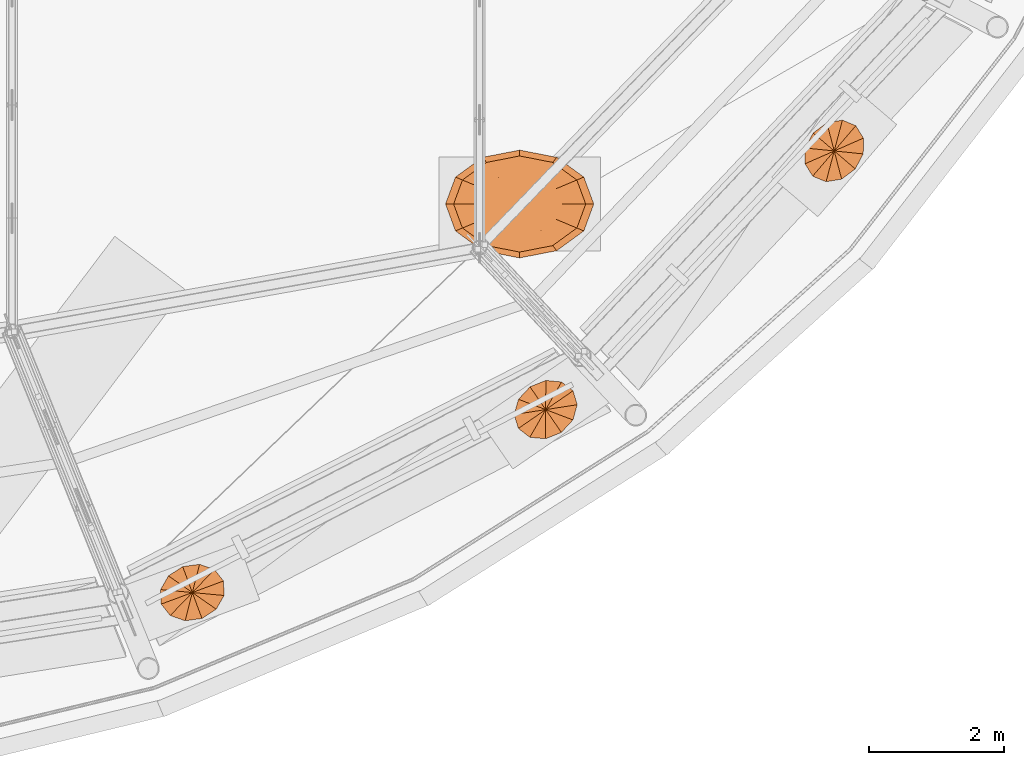
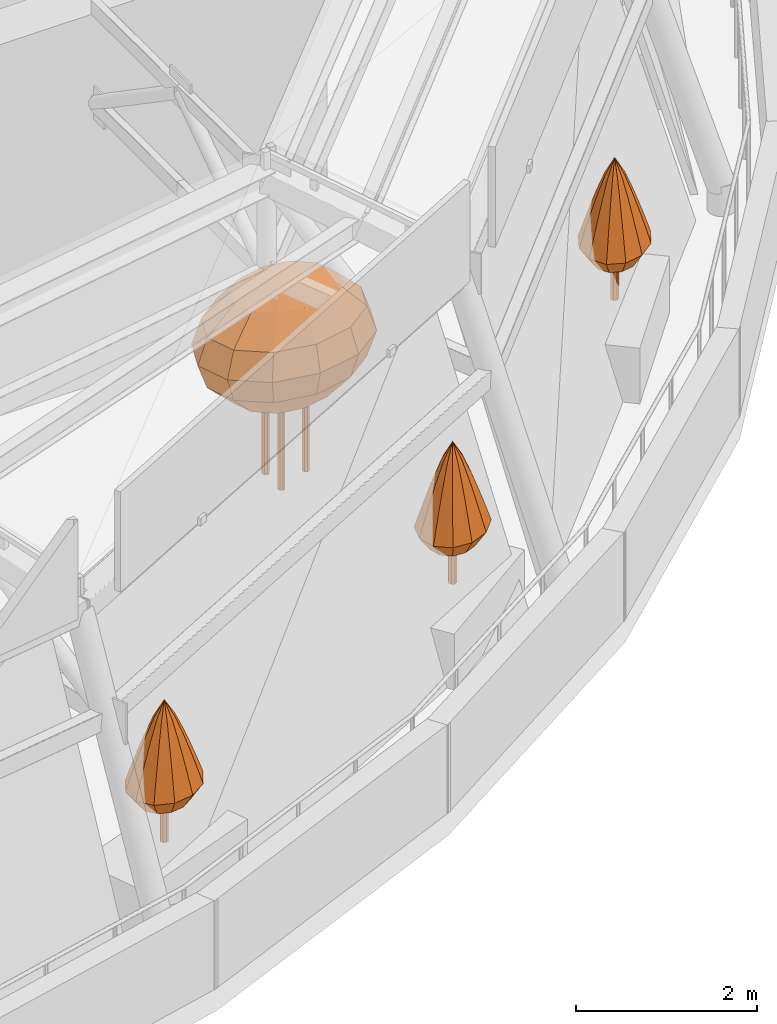
# One storey, part 35 of 40: 4 geographic elements.
"""IFC4 building model written with IfcOpenShell, lengths in metres."""

from ifc_helpers import new_model, si_unit, direction, frame, origin, place, context, subcontext, project, spatial, faceted_brep, material, constituent, constituent_set, type_object, element, save


model = new_model("IFC4")

# Units and contexts
model_context = context("Model", 3, precision=1e-05, world=origin(), true_north=direction((0.0, 1.0)))
body_context = subcontext(model_context, "Body", "Model", "MODEL_VIEW")
ifc_project = project(units=[si_unit("LENGTHUNIT", "METRE"), si_unit("AREAUNIT", "SQUARE_METRE"), si_unit("VOLUMEUNIT", "CUBIC_METRE"), si_unit("PLANEANGLEUNIT", "RADIAN"), si_unit("MASSUNIT", "GRAM", prefix="KILO")], contexts=[model_context])

# Site, building, storey
site_placement = place(None, origin())
site = spatial("IfcSite", under=ifc_project, at=site_placement, CompositionType="ELEMENT")
building_placement = place(site_placement, origin())
building = spatial("IfcBuilding", under=site, at=building_placement, Name="Taillehof Tower", CompositionType="ELEMENT")
storey_placement = place(building_placement, frame((0.0, 0.0, 275.199951171875)))
storey = spatial("IfcBuildingStorey", under=building, at=storey_placement, Name="L77", CompositionType="ELEMENT", Elevation=275.199951171875)

# Geographic elements
ifc_material_1 = material(Name="Tree bark", Category="timber")
ifc_constituent_1 = constituent(ifc_material_1, Name="Trunk", Category="timber")
ifc_material_2 = material(Name="Tree foliage")
ifc_constituent_2 = constituent(ifc_material_2, Name="Crown")
ifc_constituent_set_1 = constituent_set(constituents=[ifc_constituent_1, ifc_constituent_2], Name="Tree TR10 Scots pine standard")
geographic_element_type_1 = type_object("IfcGeographicElementType", Name="Tree TR10 Scots pine standard", PredefinedType="USERDEFINED", material=ifc_constituent_set_1)
geographic_element_1_placement = place(storey_placement, frame((8.7783203125, -18.916748046875, 0.75)))
element("IfcGeographicElement", 1, at=geographic_element_1_placement, inside=storey, type_object=geographic_element_type_1, Name="Tree TR10 Scots pine standard", ObjectType="TREE", PredefinedType="USERDEFINED", context=body_context, shape_type="Brep", body=[
    faceted_brep([(0.050048828125, 0.0, 0.0), (0.035400390625, 0.035400390625, 0.0), (0.035400390625, 0.035400390625, 1.035400390625), (0.050048828125, 0.0, 1.035400390625), (0.0, 0.050048828125, 0.0), (0.0, 0.050048828125, 1.035400390625), (-0.035400390625, 0.035400390625, 0.0), (-0.035400390625, 0.035400390625, 1.035400390625), (-0.050048828125, 0.0, 0.0), (-0.050048828125, 0.0, 1.035400390625), (-0.035400390625, -0.035400390625, 0.0), (-0.035400390625, -0.035400390625, 1.035400390625), (0.0, -0.050048828125, 0.0), (0.0, -0.050048828125, 1.035400390625), (0.035400390625, -0.035400390625, 0.0), (0.035400390625, -0.035400390625, 1.035400390625)], [[[0, 1, 2, 3]], [[1, 4, 5, 2]], [[4, 6, 7, 5]], [[6, 8, 9, 7]], [[8, 10, 11, 9]], [[10, 12, 13, 11]], [[12, 14, 15, 13]], [[14, 0, 3, 15]], [[14, 12, 10, 8, 6, 4, 1, 0]], [[3, 2, 5, 7, 9, 11, 13, 15]]]),
    faceted_brep([(0.309326171875, 0.114990234375, 0.570068359375), (0.219970703125, 0.228271484375, 0.570068359375), (0.32861328125, 0.341064453125, 0.791748046875), (0.4619140625, 0.17138671875, 0.791748046875), (0.07177734375, 0.28076171875, 0.570068359375), (0.107177734375, 0.4189453125, 0.791748046875), (-0.095703125, 0.2578125, 0.570068359375), (-0.142822265625, 0.384765625, 0.791748046875), (-0.237548828125, 0.165771484375, 0.570068359375), (-0.354736328125, 0.24755859375, 0.791748046875), (-0.315673828125, 0.029296875, 0.570068359375), (-0.471435546875, 0.0439453125, 0.791748046875), (-0.309326171875, -0.114990234375, 0.570068359375), (-0.4619140625, -0.17138671875, 0.791748046875), (-0.219970703125, -0.228271484375, 0.570068359375), (-0.32861328125, -0.341064453125, 0.791748046875), (-0.07177734375, -0.28076171875, 0.570068359375), (-0.107177734375, -0.4189453125, 0.791748046875), (0.095703125, -0.2578125, 0.570068359375), (0.142822265625, -0.384765625, 0.791748046875), (0.237548828125, -0.165771484375, 0.570068359375), (0.354736328125, -0.24755859375, 0.791748046875), (0.315673828125, -0.029296875, 0.570068359375), (0.471435546875, -0.0439453125, 0.791748046875), (0.27490234375, 0.28515625, 1.013427734375), (0.38623046875, 0.1435546875, 1.013427734375), (0.089599609375, 0.3505859375, 1.013427734375), (-0.11962890625, 0.322021484375, 1.013427734375), (-0.296630859375, 0.20703125, 1.013427734375), (-0.394287109375, 0.03662109375, 1.013427734375), (-0.38623046875, -0.1435546875, 1.013427734375), (-0.27490234375, -0.28515625, 1.013427734375), (-0.089599609375, -0.3505859375, 1.013427734375), (0.11962890625, -0.322021484375, 1.013427734375), (0.296630859375, -0.20703125, 1.013427734375), (0.394287109375, -0.03662109375, 1.013427734375), (0.21826171875, 0.2265625, 1.235107421875), (0.306884765625, 0.114013671875, 1.235107421875), (0.0712890625, 0.278564453125, 1.235107421875), (-0.094970703125, 0.255859375, 1.235107421875), (-0.235595703125, 0.16455078125, 1.235107421875), (-0.313232421875, 0.029052734375, 1.235107421875), (-0.306884765625, -0.114013671875, 1.235107421875), (-0.21826171875, -0.2265625, 1.235107421875), (-0.0712890625, -0.278564453125, 1.235107421875), (0.094970703125, -0.255859375, 1.235107421875), (0.235595703125, -0.16455078125, 1.235107421875), (0.313232421875, -0.029052734375, 1.235107421875), (0.15771484375, 0.163818359375, 1.456787109375), (0.221923828125, 0.08251953125, 1.456787109375), (0.051513671875, 0.201416015625, 1.456787109375), (-0.068603515625, 0.184814453125, 1.456787109375), (-0.17041015625, 0.118896484375, 1.456787109375), (-0.2265625, 0.02099609375, 1.456787109375), (-0.221923828125, -0.08251953125, 1.456787109375), (-0.15771484375, -0.163818359375, 1.456787109375), (-0.051513671875, -0.201416015625, 1.456787109375), (0.068603515625, -0.184814453125, 1.456787109375), (0.17041015625, -0.118896484375, 1.456787109375), (0.2265625, -0.02099609375, 1.456787109375), (0.090576171875, 0.093994140625, 1.67822265625), (0.12744140625, 0.04736328125, 1.67822265625), (0.029541015625, 0.11572265625, 1.67822265625), (-0.03955078125, 0.106201171875, 1.67822265625), (-0.097900390625, 0.068359375, 1.67822265625), (-0.130126953125, 0.01220703125, 1.67822265625), (-0.12744140625, -0.04736328125, 1.67822265625), (-0.090576171875, -0.093994140625, 1.67822265625), (-0.029541015625, -0.11572265625, 1.67822265625), (0.03955078125, -0.106201171875, 1.67822265625), (0.097900390625, -0.068359375, 1.67822265625), (0.130126953125, -0.01220703125, 1.67822265625), (0.0, 0.0, 1.89990234375)], [[[0, 1, 2, 3]], [[1, 4, 5, 2]], [[4, 6, 7, 5]], [[6, 8, 9, 7]], [[8, 10, 11, 9]], [[10, 12, 13, 11]], [[12, 14, 15, 13]], [[14, 16, 17, 15]], [[16, 18, 19, 17]], [[18, 20, 21, 19]], [[20, 22, 23, 21]], [[22, 0, 3, 23]], [[3, 2, 24, 25]], [[2, 5, 26, 24]], [[5, 7, 27, 26]], [[7, 9, 28, 27]], [[9, 11, 29, 28]], [[11, 13, 30, 29]], [[13, 15, 31, 30]], [[15, 17, 32, 31]], [[17, 19, 33, 32]], [[19, 21, 34, 33]], [[21, 23, 35, 34]], [[23, 3, 25, 35]], [[25, 24, 36, 37]], [[24, 26, 38, 36]], [[26, 27, 39, 38]], [[27, 28, 40, 39]], [[28, 29, 41, 40]], [[29, 30, 42, 41]], [[30, 31, 43, 42]], [[31, 32, 44, 43]], [[32, 33, 45, 44]], [[33, 34, 46, 45]], [[34, 35, 47, 46]], [[35, 25, 37, 47]], [[37, 36, 48, 49]], [[36, 38, 50, 48]], [[38, 39, 51, 50]], [[39, 40, 52, 51]], [[40, 41, 53, 52]], [[41, 42, 54, 53]], [[42, 43, 55, 54]], [[43, 44, 56, 55]], [[44, 45, 57, 56]], [[45, 46, 58, 57]], [[46, 47, 59, 58]], [[47, 37, 49, 59]], [[49, 48, 60, 61]], [[48, 50, 62, 60]], [[50, 51, 63, 62]], [[51, 52, 64, 63]], [[52, 53, 65, 64]], [[53, 54, 66, 65]], [[54, 55, 67, 66]], [[55, 56, 68, 67]], [[56, 57, 69, 68]], [[57, 58, 70, 69]], [[58, 59, 71, 70]], [[59, 49, 61, 71]], [[61, 60, 72]], [[60, 62, 72]], [[62, 63, 72]], [[63, 64, 72]], [[64, 65, 72]], [[65, 66, 72]], [[66, 67, 72]], [[67, 68, 72]], [[68, 69, 72]], [[69, 70, 72]], [[70, 71, 72]], [[71, 61, 72]], [[22, 20, 18, 16, 14, 12, 10, 8, 6, 4, 1, 0]]]),
])
geographic_element_2_placement = place(storey_placement, frame((14.023193359375, -16.20166015625, 0.75)))
element("IfcGeographicElement", 2, at=geographic_element_2_placement, inside=storey, type_object=geographic_element_type_1, Name="Tree TR10 Scots pine standard", ObjectType="TREE", PredefinedType="USERDEFINED", context=body_context, shape_type="Brep", body=[
    faceted_brep([(0.050048828125, 0.0, 0.0), (0.035400390625, 0.035400390625, 0.0), (0.035400390625, 0.035400390625, 1.035400390625), (0.050048828125, 0.0, 1.035400390625), (0.0, 0.050048828125, 0.0), (0.0, 0.050048828125, 1.035400390625), (-0.035400390625, 0.035400390625, 0.0), (-0.035400390625, 0.035400390625, 1.035400390625), (-0.050048828125, 0.0, 0.0), (-0.050048828125, 0.0, 1.035400390625), (-0.035400390625, -0.035400390625, 0.0), (-0.035400390625, -0.035400390625, 1.035400390625), (0.0, -0.050048828125, 0.0), (0.0, -0.050048828125, 1.035400390625), (0.035400390625, -0.035400390625, 0.0), (0.035400390625, -0.035400390625, 1.035400390625)], [[[0, 1, 2, 3]], [[1, 4, 5, 2]], [[4, 6, 7, 5]], [[6, 8, 9, 7]], [[8, 10, 11, 9]], [[10, 12, 13, 11]], [[12, 14, 15, 13]], [[14, 0, 3, 15]], [[14, 12, 10, 8, 6, 4, 1, 0]], [[3, 2, 5, 7, 9, 11, 13, 15]]]),
    faceted_brep([(0.27197265625, 0.18701171875, 0.570068359375), (0.157470703125, 0.275146484375, 0.570068359375), (0.235107421875, 0.410888671875, 0.791748046875), (0.40576171875, 0.279296875, 0.791748046875), (0.0009765625, 0.289794921875, 0.570068359375), (0.00146484375, 0.4326171875, 0.791748046875), (-0.15576171875, 0.2265625, 0.570068359375), (-0.232666015625, 0.338134765625, 0.791748046875), (-0.27099609375, 0.102783203125, 0.570068359375), (-0.404541015625, 0.1533203125, 0.791748046875), (-0.3134765625, -0.048583984375, 0.570068359375), (-0.4677734375, -0.07275390625, 0.791748046875), (-0.27197265625, -0.18701171875, 0.570068359375), (-0.40576171875, -0.279296875, 0.791748046875), (-0.157470703125, -0.275146484375, 0.570068359375), (-0.235107421875, -0.410888671875, 0.791748046875), (-0.0009765625, -0.289794921875, 0.570068359375), (-0.00146484375, -0.4326171875, 0.791748046875), (0.15576171875, -0.2265625, 0.570068359375), (0.232666015625, -0.338134765625, 0.791748046875), (0.27099609375, -0.102783203125, 0.570068359375), (0.404541015625, -0.1533203125, 0.791748046875), (0.3134765625, 0.048583984375, 0.570068359375), (0.4677734375, 0.07275390625, 0.791748046875), (0.19677734375, 0.34375, 1.013427734375), (0.339599609375, 0.233642578125, 1.013427734375), (0.001220703125, 0.36181640625, 1.013427734375), (-0.194580078125, 0.282958984375, 1.013427734375), (-0.33837890625, 0.128173828125, 1.013427734375), (-0.391357421875, -0.060791015625, 1.013427734375), (-0.339599609375, -0.233642578125, 1.013427734375), (-0.19677734375, -0.34375, 1.013427734375), (-0.001220703125, -0.36181640625, 1.013427734375), (0.194580078125, -0.282958984375, 1.013427734375), (0.33837890625, -0.128173828125, 1.013427734375), (0.391357421875, 0.060791015625, 1.013427734375), (0.15625, 0.273193359375, 1.235107421875), (0.269775390625, 0.185546875, 1.235107421875), (0.0009765625, 0.287353515625, 1.235107421875), (-0.154541015625, 0.224853515625, 1.235107421875), (-0.268798828125, 0.101806640625, 1.235107421875), (-0.310791015625, -0.04833984375, 1.235107421875), (-0.269775390625, -0.185546875, 1.235107421875), (-0.15625, -0.273193359375, 1.235107421875), (-0.0009765625, -0.287353515625, 1.235107421875), (0.154541015625, -0.224853515625, 1.235107421875), (0.268798828125, -0.101806640625, 1.235107421875), (0.310791015625, 0.04833984375, 1.235107421875), (0.113037109375, 0.197509765625, 1.456787109375), (0.195068359375, 0.134033203125, 1.456787109375), (0.000732421875, 0.207763671875, 1.456787109375), (-0.11181640625, 0.16259765625, 1.456787109375), (-0.1943359375, 0.07373046875, 1.456787109375), (-0.224853515625, -0.034912109375, 1.456787109375), (-0.195068359375, -0.134033203125, 1.456787109375), (-0.113037109375, -0.197509765625, 1.456787109375), (-0.000732421875, -0.207763671875, 1.456787109375), (0.11181640625, -0.16259765625, 1.456787109375), (0.1943359375, -0.07373046875, 1.456787109375), (0.224853515625, 0.034912109375, 1.456787109375), (0.06494140625, 0.11328125, 1.67822265625), (0.112060546875, 0.0771484375, 1.67822265625), (0.00048828125, 0.119384765625, 1.67822265625), (-0.064208984375, 0.09326171875, 1.67822265625), (-0.111572265625, 0.042236328125, 1.67822265625), (-0.129150390625, -0.02001953125, 1.67822265625), (-0.112060546875, -0.0771484375, 1.67822265625), (-0.06494140625, -0.11328125, 1.67822265625), (-0.00048828125, -0.119384765625, 1.67822265625), (0.064208984375, -0.09326171875, 1.67822265625), (0.111572265625, -0.042236328125, 1.67822265625), (0.129150390625, 0.02001953125, 1.67822265625), (0.0, 0.0, 1.89990234375)], [[[0, 1, 2, 3]], [[1, 4, 5, 2]], [[4, 6, 7, 5]], [[6, 8, 9, 7]], [[8, 10, 11, 9]], [[10, 12, 13, 11]], [[12, 14, 15, 13]], [[14, 16, 17, 15]], [[16, 18, 19, 17]], [[18, 20, 21, 19]], [[20, 22, 23, 21]], [[22, 0, 3, 23]], [[3, 2, 24, 25]], [[2, 5, 26, 24]], [[5, 7, 27, 26]], [[7, 9, 28, 27]], [[9, 11, 29, 28]], [[11, 13, 30, 29]], [[13, 15, 31, 30]], [[15, 17, 32, 31]], [[17, 19, 33, 32]], [[19, 21, 34, 33]], [[21, 23, 35, 34]], [[23, 3, 25, 35]], [[25, 24, 36, 37]], [[24, 26, 38, 36]], [[26, 27, 39, 38]], [[27, 28, 40, 39]], [[28, 29, 41, 40]], [[29, 30, 42, 41]], [[30, 31, 43, 42]], [[31, 32, 44, 43]], [[32, 33, 45, 44]], [[33, 34, 46, 45]], [[34, 35, 47, 46]], [[35, 25, 37, 47]], [[37, 36, 48, 49]], [[36, 38, 50, 48]], [[38, 39, 51, 50]], [[39, 40, 52, 51]], [[40, 41, 53, 52]], [[41, 42, 54, 53]], [[42, 43, 55, 54]], [[43, 44, 56, 55]], [[44, 45, 57, 56]], [[45, 46, 58, 57]], [[46, 47, 59, 58]], [[47, 37, 49, 59]], [[49, 48, 60, 61]], [[48, 50, 62, 60]], [[50, 51, 63, 62]], [[51, 52, 64, 63]], [[52, 53, 65, 64]], [[53, 54, 66, 65]], [[54, 55, 67, 66]], [[55, 56, 68, 67]], [[56, 57, 69, 68]], [[57, 58, 70, 69]], [[58, 59, 71, 70]], [[59, 49, 61, 71]], [[61, 60, 72]], [[60, 62, 72]], [[62, 63, 72]], [[63, 64, 72]], [[64, 65, 72]], [[65, 66, 72]], [[66, 67, 72]], [[67, 68, 72]], [[68, 69, 72]], [[69, 70, 72]], [[70, 71, 72]], [[71, 61, 72]], [[22, 20, 18, 16, 14, 12, 10, 8, 6, 4, 1, 0]]]),
])
geographic_element_3_placement = place(storey_placement, frame((18.305908203125, -12.3623046875, 0.75)))
element("IfcGeographicElement", 3, at=geographic_element_3_placement, inside=storey, type_object=geographic_element_type_1, Name="Tree TR10 Scots pine standard", ObjectType="TREE", PredefinedType="USERDEFINED", context=body_context, shape_type="Brep", body=[
    faceted_brep([(0.050048828125, 0.0, 0.0), (0.035400390625, 0.035400390625, 0.0), (0.035400390625, 0.035400390625, 1.035400390625), (0.050048828125, 0.0, 1.035400390625), (0.0, 0.050048828125, 0.0), (0.0, 0.050048828125, 1.035400390625), (-0.035400390625, 0.035400390625, 0.0), (-0.035400390625, 0.035400390625, 1.035400390625), (-0.050048828125, 0.0, 0.0), (-0.050048828125, 0.0, 1.035400390625), (-0.035400390625, -0.035400390625, 0.0), (-0.035400390625, -0.035400390625, 1.035400390625), (0.0, -0.050048828125, 0.0), (0.0, -0.050048828125, 1.035400390625), (0.035400390625, -0.035400390625, 0.0), (0.035400390625, -0.035400390625, 1.035400390625)], [[[0, 1, 2, 3]], [[1, 4, 5, 2]], [[4, 6, 7, 5]], [[6, 8, 9, 7]], [[8, 10, 11, 9]], [[10, 12, 13, 11]], [[12, 14, 15, 13]], [[14, 0, 3, 15]], [[14, 12, 10, 8, 6, 4, 1, 0]], [[3, 2, 5, 7, 9, 11, 13, 15]]]),
    faceted_brep([(0.214599609375, 0.250732421875, 0.570068359375), (0.081298828125, 0.306640625, 0.570068359375), (0.12158203125, 0.45751953125, 0.791748046875), (0.3203125, 0.374267578125, 0.791748046875), (-0.07373046875, 0.2802734375, 0.570068359375), (-0.10986328125, 0.418212890625, 0.791748046875), (-0.208984375, 0.1787109375, 0.570068359375), (-0.31201171875, 0.266845703125, 0.791748046875), (-0.288330078125, 0.029541015625, 0.570068359375), (-0.43017578125, 0.0439453125, 0.791748046875), (-0.290283203125, -0.127685546875, 0.570068359375), (-0.433349609375, -0.190673828125, 0.791748046875), (-0.214599609375, -0.250732421875, 0.570068359375), (-0.3203125, -0.374267578125, 0.791748046875), (-0.081298828125, -0.306640625, 0.570068359375), (-0.12158203125, -0.45751953125, 0.791748046875), (0.07373046875, -0.2802734375, 0.570068359375), (0.10986328125, -0.418212890625, 0.791748046875), (0.208984375, -0.1787109375, 0.570068359375), (0.31201171875, -0.266845703125, 0.791748046875), (0.288330078125, -0.029541015625, 0.570068359375), (0.43017578125, -0.0439453125, 0.791748046875), (0.290283203125, 0.127685546875, 0.570068359375), (0.433349609375, 0.190673828125, 0.791748046875), (0.1015625, 0.3828125, 1.013427734375), (0.26806640625, 0.31298828125, 1.013427734375), (-0.092041015625, 0.349853515625, 1.013427734375), (-0.260986328125, 0.223388671875, 1.013427734375), (-0.35986328125, 0.036865234375, 1.013427734375), (-0.362548828125, -0.159423828125, 1.013427734375), (-0.26806640625, -0.31298828125, 1.013427734375), (-0.1015625, -0.3828125, 1.013427734375), (0.092041015625, -0.349853515625, 1.013427734375), (0.260986328125, -0.223388671875, 1.013427734375), (0.35986328125, -0.036865234375, 1.013427734375), (0.362548828125, 0.159423828125, 1.013427734375), (0.080810546875, 0.30419921875, 1.235107421875), (0.212890625, 0.248779296875, 1.235107421875), (-0.072998046875, 0.278076171875, 1.235107421875), (-0.207275390625, 0.177490234375, 1.235107421875), (-0.285888671875, 0.029296875, 1.235107421875), (-0.2880859375, -0.126708984375, 1.235107421875), (-0.212890625, -0.248779296875, 1.235107421875), (-0.080810546875, -0.30419921875, 1.235107421875), (0.072998046875, -0.278076171875, 1.235107421875), (0.207275390625, -0.177490234375, 1.235107421875), (0.285888671875, -0.029296875, 1.235107421875), (0.2880859375, 0.126708984375, 1.235107421875), (0.058349609375, 0.219970703125, 1.456787109375), (0.15380859375, 0.179931640625, 1.456787109375), (-0.052734375, 0.200927734375, 1.456787109375), (-0.14990234375, 0.128173828125, 1.456787109375), (-0.206787109375, 0.021240234375, 1.456787109375), (-0.208251953125, -0.091552734375, 1.456787109375), (-0.15380859375, -0.179931640625, 1.456787109375), (-0.058349609375, -0.219970703125, 1.456787109375), (0.052734375, -0.200927734375, 1.456787109375), (0.14990234375, -0.128173828125, 1.456787109375), (0.206787109375, -0.021240234375, 1.456787109375), (0.208251953125, 0.091552734375, 1.456787109375), (0.033447265625, 0.126220703125, 1.67822265625), (0.08837890625, 0.103271484375, 1.67822265625), (-0.0302734375, 0.115478515625, 1.67822265625), (-0.086181640625, 0.07373046875, 1.67822265625), (-0.11865234375, 0.01220703125, 1.67822265625), (-0.11962890625, -0.052734375, 1.67822265625), (-0.08837890625, -0.103271484375, 1.67822265625), (-0.033447265625, -0.126220703125, 1.67822265625), (0.0302734375, -0.115478515625, 1.67822265625), (0.086181640625, -0.07373046875, 1.67822265625), (0.11865234375, -0.01220703125, 1.67822265625), (0.11962890625, 0.052734375, 1.67822265625), (0.0, 0.0, 1.89990234375)], [[[0, 1, 2, 3]], [[1, 4, 5, 2]], [[4, 6, 7, 5]], [[6, 8, 9, 7]], [[8, 10, 11, 9]], [[10, 12, 13, 11]], [[12, 14, 15, 13]], [[14, 16, 17, 15]], [[16, 18, 19, 17]], [[18, 20, 21, 19]], [[20, 22, 23, 21]], [[22, 0, 3, 23]], [[3, 2, 24, 25]], [[2, 5, 26, 24]], [[5, 7, 27, 26]], [[7, 9, 28, 27]], [[9, 11, 29, 28]], [[11, 13, 30, 29]], [[13, 15, 31, 30]], [[15, 17, 32, 31]], [[17, 19, 33, 32]], [[19, 21, 34, 33]], [[21, 23, 35, 34]], [[23, 3, 25, 35]], [[25, 24, 36, 37]], [[24, 26, 38, 36]], [[26, 27, 39, 38]], [[27, 28, 40, 39]], [[28, 29, 41, 40]], [[29, 30, 42, 41]], [[30, 31, 43, 42]], [[31, 32, 44, 43]], [[32, 33, 45, 44]], [[33, 34, 46, 45]], [[34, 35, 47, 46]], [[35, 25, 37, 47]], [[37, 36, 48, 49]], [[36, 38, 50, 48]], [[38, 39, 51, 50]], [[39, 40, 52, 51]], [[40, 41, 53, 52]], [[41, 42, 54, 53]], [[42, 43, 55, 54]], [[43, 44, 56, 55]], [[44, 45, 57, 56]], [[45, 46, 58, 57]], [[46, 47, 59, 58]], [[47, 37, 49, 59]], [[49, 48, 60, 61]], [[48, 50, 62, 60]], [[50, 51, 63, 62]], [[51, 52, 64, 63]], [[52, 53, 65, 64]], [[53, 54, 66, 65]], [[54, 55, 67, 66]], [[55, 56, 68, 67]], [[56, 57, 69, 68]], [[57, 58, 70, 69]], [[58, 59, 71, 70]], [[59, 49, 61, 71]], [[61, 60, 72]], [[60, 62, 72]], [[62, 63, 72]], [[63, 64, 72]], [[64, 65, 72]], [[65, 66, 72]], [[66, 67, 72]], [[67, 68, 72]], [[68, 69, 72]], [[69, 70, 72]], [[70, 71, 72]], [[71, 61, 72]], [[22, 20, 18, 16, 14, 12, 10, 8, 6, 4, 1, 0]]]),
])
ifc_material_3 = material(Name="Tree bark", Category="timber")
ifc_constituent_3 = constituent(ifc_material_3, Name="Trunk", Category="timber")
ifc_material_4 = material(Name="Tree foliage")
ifc_constituent_4 = constituent(ifc_material_4, Name="Crown")
ifc_constituent_set_2 = constituent_set(constituents=[ifc_constituent_3, ifc_constituent_4], Name="Tree TR9 Multi-stem hawthorn")
geographic_element_type_2 = type_object("IfcGeographicElementType", Name="Tree TR9 Multi-stem hawthorn", PredefinedType="USERDEFINED", material=ifc_constituent_set_2)
geographic_element_4_placement = place(storey_placement, frame((13.63671875, -13.14990234375, 0.449951171875)))
element("IfcGeographicElement", 4, at=geographic_element_4_placement, inside=storey, type_object=geographic_element_type_2, Name="Tree TR9 Multi-stem hawthorn", ObjectType="TREE", PredefinedType="USERDEFINED", context=body_context, shape_type="Brep", body=[
    faceted_brep([(0.31982421875, 0.0, 0.0), (0.306640625, 0.03173828125, 0.0), (0.306640625, 0.03173828125, 1.58056640625), (0.31982421875, 0.0, 1.58056640625), (0.27490234375, 0.044921875, 0.0), (0.27490234375, 0.044921875, 1.58056640625), (0.2431640625, 0.03173828125, 0.0), (0.2431640625, 0.03173828125, 1.58056640625), (0.22998046875, 0.0, 0.0), (0.22998046875, 0.0, 1.58056640625), (0.2431640625, -0.03173828125, 0.0), (0.2431640625, -0.03173828125, 1.58056640625), (0.27490234375, -0.044921875, 0.0), (0.27490234375, -0.044921875, 1.58056640625), (0.306640625, -0.03173828125, 0.0), (0.306640625, -0.03173828125, 1.58056640625)], [[[0, 1, 2, 3]], [[1, 4, 5, 2]], [[4, 6, 7, 5]], [[6, 8, 9, 7]], [[8, 10, 11, 9]], [[10, 12, 13, 11]], [[12, 14, 15, 13]], [[14, 0, 3, 15]], [[14, 12, 10, 8, 6, 4, 1, 0]], [[3, 2, 5, 7, 9, 11, 13, 15]]]),
    faceted_brep([(-0.092529296875, 0.173095703125, 0.0), (-0.105712890625, 0.205078125, 0.0), (-0.105712890625, 0.205078125, 1.58056640625), (-0.092529296875, 0.173095703125, 1.58056640625), (-0.137451171875, 0.218017578125, 0.0), (-0.137451171875, 0.218017578125, 1.58056640625), (-0.169189453125, 0.205078125, 0.0), (-0.169189453125, 0.205078125, 1.58056640625), (-0.182373046875, 0.173095703125, 0.0), (-0.182373046875, 0.173095703125, 1.58056640625), (-0.169189453125, 0.141357421875, 0.0), (-0.169189453125, 0.141357421875, 1.58056640625), (-0.137451171875, 0.12841796875, 0.0), (-0.137451171875, 0.12841796875, 1.58056640625), (-0.105712890625, 0.141357421875, 0.0), (-0.105712890625, 0.141357421875, 1.58056640625)], [[[0, 1, 2, 3]], [[1, 4, 5, 2]], [[4, 6, 7, 5]], [[6, 8, 9, 7]], [[8, 10, 11, 9]], [[10, 12, 13, 11]], [[12, 14, 15, 13]], [[14, 0, 3, 15]], [[14, 12, 10, 8, 6, 4, 1, 0]], [[3, 2, 5, 7, 9, 11, 13, 15]]]),
    faceted_brep([(-0.092529296875, -0.173095703125, 0.0), (-0.105712890625, -0.141357421875, 0.0), (-0.105712890625, -0.141357421875, 1.58056640625), (-0.092529296875, -0.173095703125, 1.58056640625), (-0.137451171875, -0.12841796875, 0.0), (-0.137451171875, -0.12841796875, 1.58056640625), (-0.169189453125, -0.141357421875, 0.0), (-0.169189453125, -0.141357421875, 1.58056640625), (-0.182373046875, -0.173095703125, 0.0), (-0.182373046875, -0.173095703125, 1.58056640625), (-0.169189453125, -0.205078125, 0.0), (-0.169189453125, -0.205078125, 1.58056640625), (-0.137451171875, -0.218017578125, 0.0), (-0.137451171875, -0.218017578125, 1.58056640625), (-0.105712890625, -0.205078125, 0.0), (-0.105712890625, -0.205078125, 1.58056640625)], [[[0, 1, 2, 3]], [[1, 4, 5, 2]], [[4, 6, 7, 5]], [[6, 8, 9, 7]], [[8, 10, 11, 9]], [[10, 12, 13, 11]], [[12, 14, 15, 13]], [[14, 0, 3, 15]], [[14, 12, 10, 8, 6, 4, 1, 0]], [[3, 2, 5, 7, 9, 11, 13, 15]]]),
    faceted_brep([(0.0, 0.0, 0.8701171875), (0.547119140625, 0.229736328125, 1.208251953125), (0.6318359375, 0.0, 1.208251953125), (0.31591796875, 0.39794921875, 1.208251953125), (0.0, 0.45947265625, 1.208251953125), (-0.31591796875, 0.39794921875, 1.208251953125), (-0.547119140625, 0.229736328125, 1.208251953125), (-0.6318359375, 0.0, 1.208251953125), (-0.547119140625, -0.229736328125, 1.208251953125), (-0.31591796875, -0.39794921875, 1.208251953125), (0.0, -0.45947265625, 1.208251953125), (0.31591796875, -0.39794921875, 1.208251953125), (0.547119140625, -0.229736328125, 1.208251953125), (0.84912109375, 0.3564453125, 1.546630859375), (0.98046875, 0.0, 1.546630859375), (0.490234375, 0.617431640625, 1.546630859375), (0.0, 0.713134765625, 1.546630859375), (-0.490234375, 0.617431640625, 1.546630859375), (-0.84912109375, 0.3564453125, 1.546630859375), (-0.98046875, 0.0, 1.546630859375), (-0.84912109375, -0.3564453125, 1.546630859375), (-0.490234375, -0.617431640625, 1.546630859375), (0.0, -0.713134765625, 1.546630859375), (0.490234375, -0.617431640625, 1.546630859375), (0.84912109375, -0.3564453125, 1.546630859375), (0.95263671875, 0.39990234375, 1.885009765625), (1.10009765625, 0.0, 1.885009765625), (0.550048828125, 0.69287109375, 1.885009765625), (0.0, 0.800048828125, 1.885009765625), (-0.550048828125, 0.69287109375, 1.885009765625), (-0.95263671875, 0.39990234375, 1.885009765625), (-1.10009765625, 0.0, 1.885009765625), (-0.95263671875, -0.39990234375, 1.885009765625), (-0.550048828125, -0.69287109375, 1.885009765625), (0.0, -0.800048828125, 1.885009765625), (0.550048828125, -0.69287109375, 1.885009765625), (0.95263671875, -0.39990234375, 1.885009765625), (0.84912109375, 0.3564453125, 2.223388671875), (0.98046875, 0.0, 2.223388671875), (0.490234375, 0.617431640625, 2.223388671875), (0.0, 0.713134765625, 2.223388671875), (-0.490234375, 0.617431640625, 2.223388671875), (-0.84912109375, 0.3564453125, 2.223388671875), (-0.98046875, 0.0, 2.223388671875), (-0.84912109375, -0.3564453125, 2.223388671875), (-0.490234375, -0.617431640625, 2.223388671875), (0.0, -0.713134765625, 2.223388671875), (0.490234375, -0.617431640625, 2.223388671875), (0.84912109375, -0.3564453125, 2.223388671875), (0.547119140625, 0.229736328125, 2.561767578125), (0.6318359375, 0.0, 2.561767578125), (0.31591796875, 0.39794921875, 2.561767578125), (0.0, 0.45947265625, 2.561767578125), (-0.31591796875, 0.39794921875, 2.561767578125), (-0.547119140625, 0.229736328125, 2.561767578125), (-0.6318359375, 0.0, 2.561767578125), (-0.547119140625, -0.229736328125, 2.561767578125), (-0.31591796875, -0.39794921875, 2.561767578125), (0.0, -0.45947265625, 2.561767578125), (0.31591796875, -0.39794921875, 2.561767578125), (0.547119140625, -0.229736328125, 2.561767578125), (0.0, 0.0, 2.89990234375)], [[[0, 1, 2]], [[0, 3, 1]], [[0, 4, 3]], [[0, 5, 4]], [[0, 6, 5]], [[0, 7, 6]], [[0, 8, 7]], [[0, 9, 8]], [[0, 10, 9]], [[0, 11, 10]], [[0, 12, 11]], [[0, 2, 12]], [[2, 1, 13, 14]], [[1, 3, 15, 13]], [[3, 4, 16, 15]], [[4, 5, 17, 16]], [[5, 6, 18, 17]], [[6, 7, 19, 18]], [[7, 8, 20, 19]], [[8, 9, 21, 20]], [[9, 10, 22, 21]], [[10, 11, 23, 22]], [[11, 12, 24, 23]], [[12, 2, 14, 24]], [[14, 13, 25, 26]], [[13, 15, 27, 25]], [[15, 16, 28, 27]], [[16, 17, 29, 28]], [[17, 18, 30, 29]], [[18, 19, 31, 30]], [[19, 20, 32, 31]], [[20, 21, 33, 32]], [[21, 22, 34, 33]], [[22, 23, 35, 34]], [[23, 24, 36, 35]], [[24, 14, 26, 36]], [[26, 25, 37, 38]], [[25, 27, 39, 37]], [[27, 28, 40, 39]], [[28, 29, 41, 40]], [[29, 30, 42, 41]], [[30, 31, 43, 42]], [[31, 32, 44, 43]], [[32, 33, 45, 44]], [[33, 34, 46, 45]], [[34, 35, 47, 46]], [[35, 36, 48, 47]], [[36, 26, 38, 48]], [[38, 37, 49, 50]], [[37, 39, 51, 49]], [[39, 40, 52, 51]], [[40, 41, 53, 52]], [[41, 42, 54, 53]], [[42, 43, 55, 54]], [[43, 44, 56, 55]], [[44, 45, 57, 56]], [[45, 46, 58, 57]], [[46, 47, 59, 58]], [[47, 48, 60, 59]], [[48, 38, 50, 60]], [[50, 49, 61]], [[49, 51, 61]], [[51, 52, 61]], [[52, 53, 61]], [[53, 54, 61]], [[54, 55, 61]], [[55, 56, 61]], [[56, 57, 61]], [[57, 58, 61]], [[58, 59, 61]], [[59, 60, 61]], [[60, 50, 61]]]),
])

save(model, "model.ifc")
